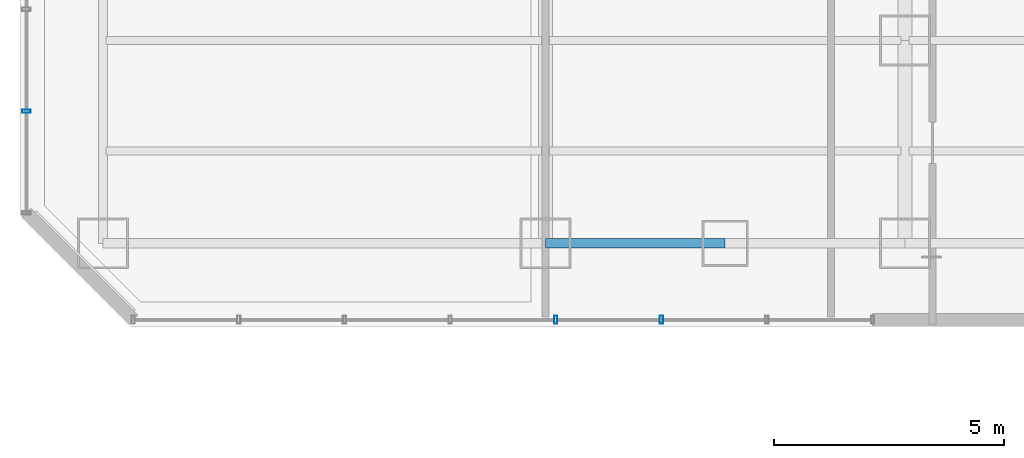
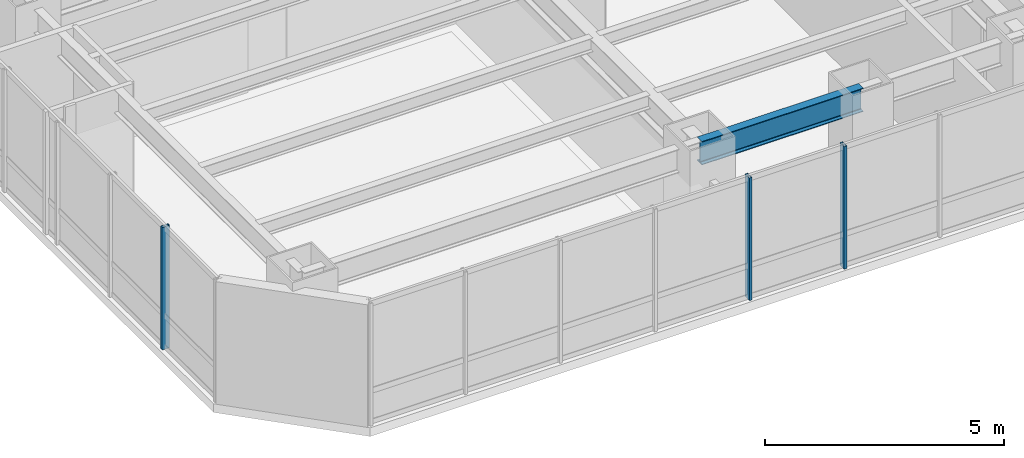
# One storey, part 4 of 37: 3 members, 1 beam, 2 elements without a shape of their own.
"""IFC4 building model written with IfcOpenShell, lengths in metres."""

from ifc_helpers import new_model, si_unit, direction, frame, origin, origin_2d, place, context, subcontext, project, spatial, hollow_rectangle, i_section, extrude, material, layer, layer_set, material_profile, profile_set, type_object, element, aggregate, save


model = new_model("IFC4")

# Units and contexts
model_context = context("Model", 3, precision=1e-05, world=origin(), true_north=direction((0.0, 1.0)))
body_context = subcontext(model_context, "Body", "Model", "MODEL_VIEW")
ifc_project = project(units=[si_unit("LENGTHUNIT", "METRE"), si_unit("AREAUNIT", "SQUARE_METRE"), si_unit("VOLUMEUNIT", "CUBIC_METRE"), si_unit("PLANEANGLEUNIT", "RADIAN"), si_unit("MASSUNIT", "GRAM", prefix="KILO")], contexts=[model_context])

# Site, building, storey
site_placement = place(None, origin())
site = spatial("IfcSite", under=ifc_project, at=site_placement, CompositionType="ELEMENT")
building_placement = place(site_placement, origin())
building = spatial("IfcBuilding", under=site, at=building_placement, Name="Hatsunagi Terrace Concourse", CompositionType="ELEMENT")
storey_placement = place(building_placement, frame((0.0, 0.0, 39.949951171875)))
storey = spatial("IfcBuildingStorey", under=building, at=storey_placement, Name="L09", CompositionType="ELEMENT", Elevation=39.949951171875)

# Curtain wall, members
ifc_material_1 = material(Name="Anodised Aluminium Alloy 6063-T5", Category="aluminium")
ifc_layer = layer(ifc_material_1, 0.199951171875)
ifc_layer_set = layer_set([ifc_layer], Name="HotelFacade_CW02")
curtain_wall_type = type_object("IfcCurtainWallType", Name="HotelFacade_CW02", PredefinedType="NOTDEFINED", material=ifc_layer_set)
curtain_wall_1_placement = place(storey_placement, origin())
curtain_wall_1 = element("IfcCurtainWall", 1, at=curtain_wall_1_placement, inside=storey, type_object=curtain_wall_type, Name="Unitised Curtain Wall CW-02 CW-L09-07", PredefinedType="NOTDEFINED")
ifc_material_2 = material(Name="Anodised Aluminium Alloy 6063-T5", Category="aluminium")
ifc_material_profile_1 = material_profile(ifc_material_2, hollow_rectangle(XDim=0.070068359375, YDim=0.179931640625, WallThickness=0.00390625, at=origin_2d()), Name="ALU-MUL-180x70x4")
ifc_profile_set_1 = profile_set([ifc_material_profile_1], Name="Anodised Aluminium Alloy 6063-T5")
member_type = type_object("IfcMemberType", Name="CurtainWallMullion_180x70", PredefinedType="MULLION", material=ifc_profile_set_1)
member_1_placement = place(storey_placement, frame((13.9169921875, 23.5400390625, 0.0), z_axis=(0.0, 0.0, 1.0), x_axis=(-1.0, 0.0, 0.0)))
member_1 = element("IfcMember", 2, at=member_1_placement, type_object=member_type, Name="Curtain Wall Mullion MUL-02", PredefinedType="MULLION", context=body_context, shape_type="SweptSolid", body=[
    extrude(hollow_rectangle(XDim=0.070068359375, YDim=0.179931640625, WallThickness=0.00390625, at=origin_2d()), origin(), (0.0, 0.0, 1.0), 3.130126953125),
])
member_2_placement = place(storey_placement, frame((11.625, 23.5400390625, 0.0), z_axis=(0.0, 0.0, 1.0), x_axis=(-1.0, 0.0, 0.0)))
member_2 = element("IfcMember", 3, at=member_2_placement, type_object=member_type, Name="Curtain Wall Mullion MUL-02", PredefinedType="MULLION", context=body_context, shape_type="SweptSolid", body=[
    extrude(hollow_rectangle(XDim=0.070068359375, YDim=0.179931640625, WallThickness=0.00390625, at=origin_2d()), origin(), (0.0, 0.0, 1.0), 3.130126953125),
])
aggregate(curtain_wall_1, [member_1, member_2])

# Curtain wall, member
curtain_wall_2_placement = place(storey_placement, origin())
curtain_wall_2 = element("IfcCurtainWall", 4, at=curtain_wall_2_placement, inside=storey, type_object=curtain_wall_type, Name="Unitised Curtain Wall CW-02 CW-L09-09", PredefinedType="NOTDEFINED")
member_3_placement = place(storey_placement, frame((0.139892578125, 28.06591796875, 0.0), z_axis=(0.0, 0.0, 1.0), x_axis=(0.0, 1.0, 0.0)))
member_3 = element("IfcMember", 5, at=member_3_placement, type_object=member_type, Name="Curtain Wall Mullion MUL-02", PredefinedType="MULLION", context=body_context, shape_type="SweptSolid", body=[
    extrude(hollow_rectangle(XDim=0.070068359375, YDim=0.179931640625, WallThickness=0.00390625, at=origin_2d()), origin(), (0.0, 0.0, 1.0), 3.130126953125),
])
aggregate(curtain_wall_2, [member_3])

# Beam
ifc_material_3 = material(Name="Steel SN490B", Category="steel")
ifc_material_profile_2 = material_profile(ifc_material_3, i_section(OverallWidth=0.199951171875, OverallDepth=0.60009765625, WebThickness=0.010986328125, FlangeThickness=0.01708984375, FilletRadius=0.01806640625, at=origin_2d()), Name="H-600x200x11x17")
ifc_profile_set_2 = profile_set([ifc_material_profile_2], Name="Steel SN490B")
beam_type = type_object("IfcBeamType", Name="PerimeterSpandrel_H_600x200", PredefinedType="SPANDREL", material=ifc_profile_set_2)
beam_placement = place(storey_placement, frame((11.39990234375, 25.199951171875, 2.830078125), z_axis=(1.0, 0.0, 0.0), x_axis=(0.0, 1.0, 0.0)))
element("IfcBeam", 6, at=beam_placement, inside=storey, type_object=beam_type, Name="Beam SP-01 BM-L09-WS-11", PredefinedType="SPANDREL", context=body_context, shape_type="SweptSolid", body=[
    extrude(i_section(OverallWidth=0.199951171875, OverallDepth=0.60009765625, WebThickness=0.010986328125, FlangeThickness=0.01708984375, FilletRadius=0.01806640625, at=origin_2d()), origin(), (0.0, 0.0, 1.0), 3.900146484375),
])

save(model, "model.ifc")
